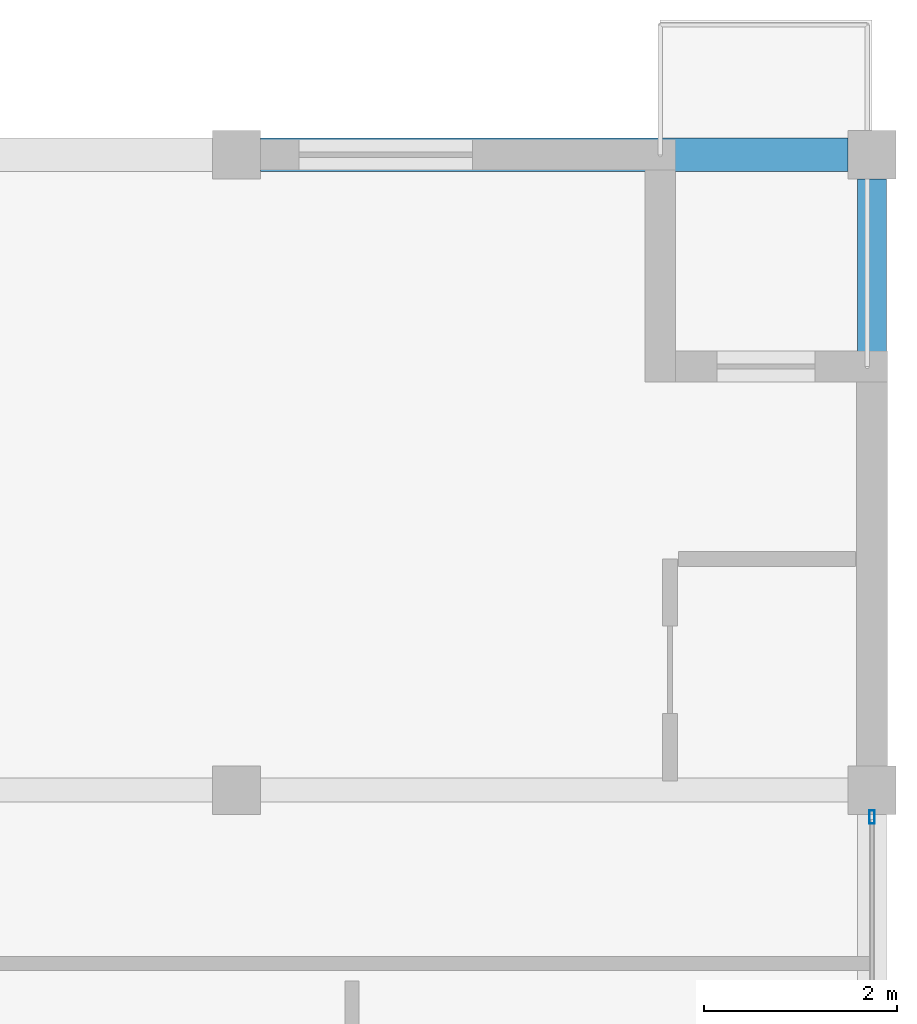
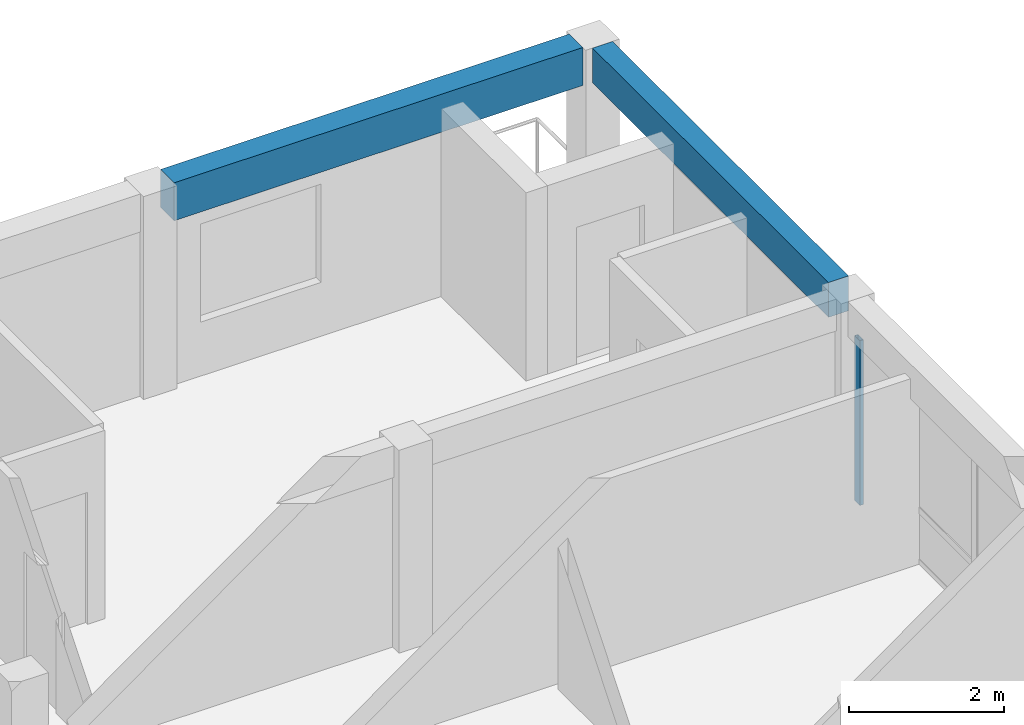
# One storey, part 24 of 53: 2 beams, 1 member, 1 element without a shape of its own.
"""IFC4 building model written with IfcOpenShell, lengths in metres."""

from ifc_helpers import new_model, si_unit, direction, frame, origin, origin_2d, place, context, subcontext, project, spatial, rectangle, hollow_rectangle, extrude, material, material_profile, profile_set, type_object, element, aggregate, save


model = new_model("IFC4")

# Units and contexts
model_context = context("Model", 3, precision=1e-05, world=origin(), true_north=direction((0.0, 1.0)))
body_context = subcontext(model_context, "Body", "Model", "MODEL_VIEW")
ifc_project = project(units=[si_unit("LENGTHUNIT", "METRE"), si_unit("AREAUNIT", "SQUARE_METRE"), si_unit("VOLUMEUNIT", "CUBIC_METRE"), si_unit("PLANEANGLEUNIT", "RADIAN"), si_unit("MASSUNIT", "GRAM", prefix="KILO")], contexts=[model_context])

# Site, building, storey
site_placement = place(None, origin())
site = spatial("IfcSite", under=ifc_project, at=site_placement, CompositionType="ELEMENT")
building_placement = place(site_placement, origin())
building = spatial("IfcBuilding", under=site, at=building_placement, Name="Kernevlak Ridge Housing Community", CompositionType="ELEMENT")
storey_placement = place(building_placement, frame((0.0, 0.0, 24.39990234375)))
storey = spatial("IfcBuildingStorey", under=building, at=storey_placement, Name="L07", CompositionType="ELEMENT", Elevation=24.39990234375)

# Curtain wall, member
ifc_material_1 = material(Name="Aluminium EN AW-6060 anodised and laminated glass", Category="aluminium")
curtain_wall_type = type_object("IfcCurtainWallType", Name="CW-11", PredefinedType="NOTDEFINED", material=ifc_material_1)
curtain_wall_placement = place(storey_placement, origin())
curtain_wall = element("IfcCurtainWall", 1, at=curtain_wall_placement, inside=storey, type_object=curtain_wall_type, Name="Curtain wall CW-11 CW-L07-078", PredefinedType="NOTDEFINED")
ifc_material_2 = material(Name="Aluminium EN AW-6060 anodised", Category="aluminium")
ifc_material_profile_1 = material_profile(ifc_material_2, hollow_rectangle(XDim=0.054931640625, YDim=0.139892578125, WallThickness=0.00390625, InnerFilletRadius=0.001953125, OuterFilletRadius=0.00390625, at=origin_2d()), Name="ALU 55x140x4")
ifc_profile_set_1 = profile_set([ifc_material_profile_1], Name="Aluminium EN AW-6060 anodised")
member_type = type_object("IfcMemberType", Name="MU-01", PredefinedType="MULLION", material=ifc_profile_set_1)
member_placement = place(storey_placement, frame((152.39990234375, 95.5224609375, 0.0), z_axis=(0.0, 0.0, 1.0), x_axis=(-1.0, 0.0, 0.0)))
member = element("IfcMember", 2, at=member_placement, type_object=member_type, Name="CW-11 mullion 3", PredefinedType="MULLION", context=body_context, shape_type="SweptSolid", body=[
    extrude(hollow_rectangle(XDim=0.054931640625, YDim=0.139892578125, WallThickness=0.00390625, InnerFilletRadius=0.001953125, OuterFilletRadius=0.00390625, at=origin_2d()), origin(), (0.0, 0.0, 1.0), 2.60009765625),
])
aggregate(curtain_wall, [member])

# Beams
ifc_material_3 = material(Name="Concrete C35/45", Category="concrete")
ifc_material_profile_2 = material_profile(ifc_material_3, rectangle(XDim=0.300048828125, YDim=0.550048828125, at=origin_2d()), Name="RC 300x550")
ifc_profile_set_2 = profile_set([ifc_material_profile_2], Name="Concrete C35/45")
beam_type_1 = type_object("IfcBeamType", Name="SP-01", PredefinedType="SPANDREL", material=ifc_profile_set_2)
beam_1_placement = place(storey_placement, frame((152.39990234375, 96.050048828125, 2.925048828125), z_axis=(0.0, 1.0, 0.0), x_axis=(-1.0, 0.0, 0.0)))
element("IfcBeam", 3, at=beam_1_placement, inside=storey, type_object=beam_type_1, Name="Beam SP-01 L07 784", PredefinedType="SPANDREL", context=body_context, shape_type="SweptSolid", body=[
    extrude(rectangle(XDim=0.300048828125, YDim=0.550048828125, at=origin_2d()), origin(), (0.0, 0.0, 1.0), 6.099853515625),
])
ifc_material_profile_3 = material_profile(ifc_material_3, rectangle(XDim=0.35009765625, YDim=0.60009765625, at=origin_2d()), Name="RC 350x600")
ifc_profile_set_3 = profile_set([ifc_material_profile_3], Name="Concrete C35/45")
beam_type_2 = type_object("IfcBeamType", Name="SP-03", PredefinedType="SPANDREL", material=ifc_profile_set_3)
beam_2_placement = place(storey_placement, frame((146.050048828125, 102.39990234375, 2.900146484375), z_axis=(1.0, 0.0, 0.0), x_axis=(0.0, 1.0, 0.0)))
element("IfcBeam", 4, at=beam_2_placement, inside=storey, type_object=beam_type_2, Name="Beam SP-03 L07 778", PredefinedType="SPANDREL", context=body_context, shape_type="SweptSolid", body=[
    extrude(rectangle(XDim=0.35009765625, YDim=0.60009765625, at=origin_2d()), origin(), (0.0, 0.0, 1.0), 6.099853515625),
])

save(model, "model.ifc")
